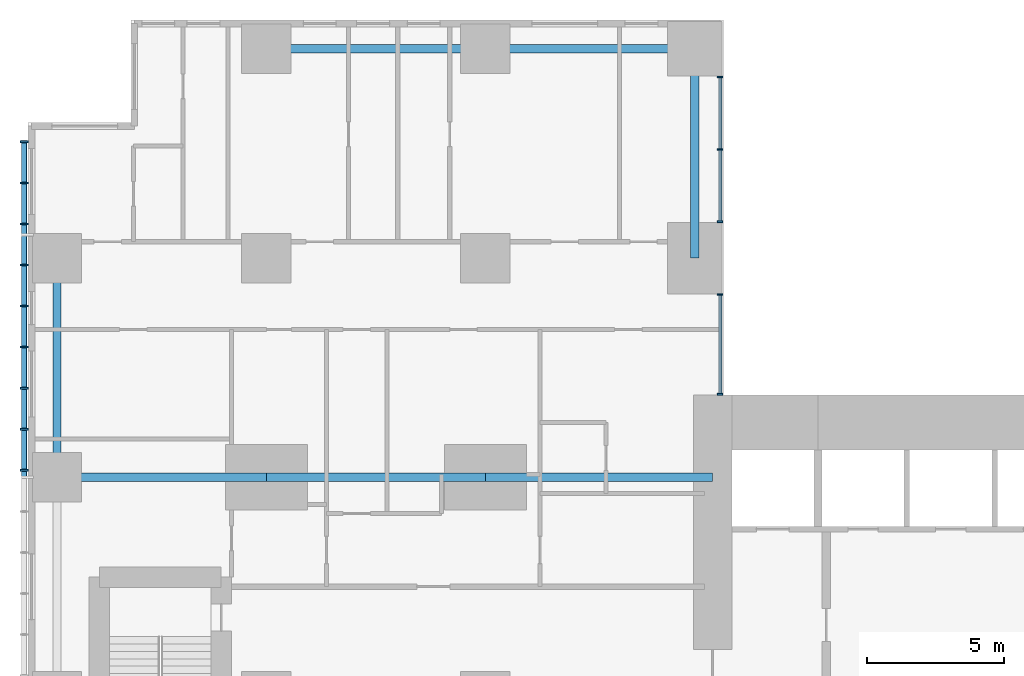
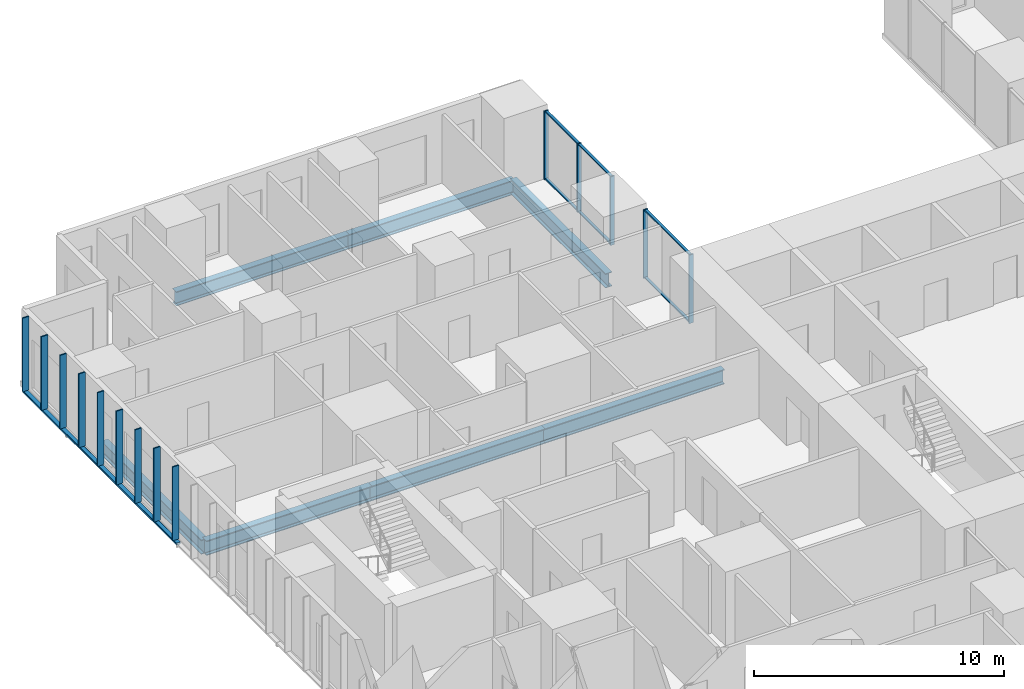
# One storey, part 4 of 20: 21 members, 7 beams, 2 elements without a shape of their own.
"""IFC4 building model written with IfcOpenShell, lengths in metres."""

from ifc_helpers import new_model, si_unit, direction, frame, origin, origin_2d, place, context, subcontext, project, spatial, rectangle, hollow_rectangle, i_section, extrude, material, layer, layer_set, material_profile, profile_set, type_object, element, aggregate, save


model = new_model("IFC4")

# Units and contexts
model_context = context("Model", 3, precision=1e-05, world=origin(), true_north=direction((0.0, 1.0)))
body_context = subcontext(model_context, "Body", "Model", "MODEL_VIEW")
ifc_project = project(units=[si_unit("LENGTHUNIT", "METRE"), si_unit("AREAUNIT", "SQUARE_METRE"), si_unit("VOLUMEUNIT", "CUBIC_METRE"), si_unit("PLANEANGLEUNIT", "RADIAN"), si_unit("MASSUNIT", "GRAM", prefix="KILO")], contexts=[model_context])

# Site, building, storey
site_placement = place(None, origin())
site = spatial("IfcSite", under=ifc_project, at=site_placement, CompositionType="ELEMENT")
building_placement = place(site_placement, origin())
building = spatial("IfcBuilding", under=site, at=building_placement, Name="Cleftline Residences", CompositionType="ELEMENT")
storey_placement = place(building_placement, frame((0.0, 0.0, 214.60009765625)))
storey = spatial("IfcBuildingStorey", under=building, at=storey_placement, Name="L56", CompositionType="ELEMENT", Elevation=214.60009765625)

# Member
ifc_material_1 = material(Name="Steel S355, hot-dip galvanised", Category="steel")
ifc_material_profile_1 = material_profile(ifc_material_1, hollow_rectangle(XDim=0.10009765625, YDim=0.199951171875, WallThickness=0.008056640625, InnerFilletRadius=0.008056640625, OuterFilletRadius=0.011962890625, at=origin_2d()))
ifc_profile_set_1 = profile_set([ifc_material_profile_1], Name="Steel S355, hot-dip galvanised")
member_type_1 = type_object("IfcMemberType", Name="BAGUETTE CARRIER RHS 200X100X8", PredefinedType="USERDEFINED", material=ifc_profile_set_1)
member_1_placement = place(storey_placement, frame((-0.85009765625, 44.300048828125, -0.050048828125), z_axis=(0.0, -1.0, 0.0), x_axis=(0.0, 0.0, 1.0)))
element("IfcMember", 1, at=member_1_placement, inside=storey, type_object=member_type_1, Name="Baguette carrier", ObjectType="BAGUETTE CARRIER", PredefinedType="USERDEFINED", context=body_context, shape_type="SweptSolid", body=[
    extrude(hollow_rectangle(XDim=0.10009765625, YDim=0.199951171875, WallThickness=0.008056640625, InnerFilletRadius=0.008056640625, OuterFilletRadius=0.011962890625, at=origin_2d()), origin(), (0.0, 0.0, 1.0), 12.300048828125),
])

# Beams
ifc_material_2 = material(Name="Steel S355", Category="steel")
ifc_material_profile_2 = material_profile(ifc_material_2, i_section(OverallWidth=0.300048828125, OverallDepth=0.699951171875, WebThickness=0.01708984375, FlangeThickness=0.031982421875, FilletRadius=0.027099609375, at=origin_2d()))
ifc_profile_set_2 = profile_set([ifc_material_profile_2], Name="Steel S355")
beam_type_1 = type_object("IfcBeamType", Name="BEAM HEB 700", PredefinedType="BEAM", material=ifc_profile_set_2)
for number, where, z_axis, x_axis, name in (
    (2, (0.35009765625, 32.0, -0.60009765625), (0.0, 1.0, 0.0), (-1.0, 0.0, 0.0), "Edge beam"),
    (3, (8.0, 47.64990234375, -0.60009765625), (1.0, 0.0, 0.0), (0.0, 1.0, 0.0), "Edge beam"),
):
    element("IfcBeam", number, at=place(storey_placement, frame(where, z_axis=z_axis, x_axis=x_axis)), inside=storey, type_object=beam_type_1, Name=name, PredefinedType="BEAM", context=body_context, shape_type="SweptSolid", body=[
        extrude(i_section(OverallWidth=0.300048828125, OverallDepth=0.699951171875, WebThickness=0.01708984375, FlangeThickness=0.031982421875, FilletRadius=0.027099609375, at=origin_2d()), origin(), (0.0, 0.0, 1.0), 8.0),
    ])
for number, where, z_axis, x_axis, name in (
    (4, (16.0, 47.64990234375, -0.60009765625), (1.0, 0.0, 0.0), (0.0, 1.0, 0.0), "Edge beam"),
    (5, (23.64990234375, 47.64990234375, -0.60009765625), (0.0, -1.0, 0.0), (1.0, 0.0, 0.0), "Edge beam"),
):
    element("IfcBeam", number, at=place(storey_placement, frame(where, z_axis=z_axis, x_axis=x_axis)), inside=storey, type_object=beam_type_1, Name=name, PredefinedType="BEAM", context=body_context, shape_type="SweptSolid", body=[
        extrude(i_section(OverallWidth=0.300048828125, OverallDepth=0.699951171875, WebThickness=0.01708984375, FlangeThickness=0.031982421875, FilletRadius=0.027099609375, at=origin_2d()), origin(), (0.0, 0.0, 1.0), 7.64990234375),
    ])
ifc_material_3 = material(Name="Steel S355", Category="steel")
ifc_material_profile_3 = material_profile(ifc_material_3, i_section(OverallWidth=0.303955078125, OverallDepth=0.716064453125, WebThickness=0.02099609375, FlangeThickness=0.0400390625, FilletRadius=0.027099609375, at=origin_2d()))
ifc_profile_set_3 = profile_set([ifc_material_profile_3], Name="Steel S355")
beam_type_2 = type_object("IfcBeamType", Name="BEAM HEM 700", PredefinedType="BEAM", material=ifc_profile_set_3)
beam_1_placement = place(storey_placement, frame((0.35009765625, 32.0, -0.608154296875), z_axis=(1.0, 0.0, 0.0), x_axis=(0.0, 1.0, 0.0)))
element("IfcBeam", 6, at=beam_1_placement, inside=storey, type_object=beam_type_2, Name="Band beam", PredefinedType="BEAM", context=body_context, shape_type="SweptSolid", body=[
    extrude(i_section(OverallWidth=0.303955078125, OverallDepth=0.716064453125, WebThickness=0.02099609375, FlangeThickness=0.0400390625, FilletRadius=0.027099609375, at=origin_2d()), origin(), (0.0, 0.0, 1.0), 7.64990234375),
])
beam_2_placement = place(storey_placement, frame((8.0, 32.0, -0.608154296875), z_axis=(1.0, 0.0, 0.0), x_axis=(0.0, 1.0, 0.0)))
element("IfcBeam", 7, at=beam_2_placement, inside=storey, type_object=beam_type_2, Name="Band beam", PredefinedType="BEAM", context=body_context, shape_type="SweptSolid", body=[
    extrude(i_section(OverallWidth=0.303955078125, OverallDepth=0.716064453125, WebThickness=0.02099609375, FlangeThickness=0.0400390625, FilletRadius=0.027099609375, at=origin_2d()), origin(), (0.0, 0.0, 1.0), 8.0),
])
beam_3_placement = place(storey_placement, frame((16.0, 32.0, -0.608154296875), z_axis=(1.0, 0.0, 0.0), x_axis=(0.0, 1.0, 0.0)))
element("IfcBeam", 8, at=beam_3_placement, inside=storey, type_object=beam_type_2, Name="Band beam", PredefinedType="BEAM", context=body_context, shape_type="SweptSolid", body=[
    extrude(i_section(OverallWidth=0.303955078125, OverallDepth=0.716064453125, WebThickness=0.02099609375, FlangeThickness=0.0400390625, FilletRadius=0.027099609375, at=origin_2d()), origin(), (0.0, 0.0, 1.0), 8.300048828125),
])

# Curtain wall, members
ifc_material_4 = material(Name="Aluminium framed curtain wall", Category="aluminium")
ifc_layer = layer(ifc_material_4, 0.199951171875)
ifc_layer_set = layer_set([ifc_layer], Name="CW1 CLEFT GLAZING")
curtain_wall_type = type_object("IfcCurtainWallType", Name="CW1 CLEFT GLAZING", PredefinedType="NOTDEFINED", material=ifc_layer_set)
curtain_wall_1_placement = place(storey_placement, origin())
curtain_wall_1 = element("IfcCurtainWall", 9, at=curtain_wall_1_placement, inside=storey, type_object=curtain_wall_type, Name="Curtain wall CW1", PredefinedType="NOTDEFINED")
ifc_material_5 = material(Name="Aluminium mullion", Category="aluminium")
ifc_material_profile_4 = material_profile(ifc_material_5, rectangle(XDim=0.199951171875, YDim=0.06005859375, at=origin_2d()))
ifc_profile_set_4 = profile_set([ifc_material_profile_4], Name="Aluminium mullion")
member_type_2 = type_object("IfcMemberType", Name="CW1 MULLION", PredefinedType="MULLION", material=ifc_profile_set_4)
member_2_placement = place(storey_placement, frame((24.574951171875, 35.030029296875, 0.0), z_axis=(0.0, 0.0, 1.0), x_axis=(-1.0, 0.0, 0.0)))
member_2 = element("IfcMember", 10, at=member_2_placement, type_object=member_type_2, Name="CW1 mullion 1", PredefinedType="MULLION", context=body_context, shape_type="SweptSolid", body=[
    extrude(rectangle(XDim=0.199951171875, YDim=0.06005859375, at=origin_2d()), origin(), (0.0, 0.0, 1.0), 3.349853515625),
])
member_3_placement = place(storey_placement, frame((24.574951171875, 38.669921875, 0.0), z_axis=(0.0, 0.0, 1.0), x_axis=(-1.0, 0.0, 0.0)))
member_3 = element("IfcMember", 11, at=member_3_placement, type_object=member_type_2, Name="CW1 mullion 2", PredefinedType="MULLION", context=body_context, shape_type="SweptSolid", body=[
    extrude(rectangle(XDim=0.199951171875, YDim=0.06005859375, at=origin_2d()), origin(), (0.0, 0.0, 1.0), 3.349853515625),
])

curtain_wall_2_placement = place(storey_placement, origin())
curtain_wall_2 = element("IfcCurtainWall", 12, at=curtain_wall_2_placement, inside=storey, type_object=curtain_wall_type, Name="Curtain wall CW1", PredefinedType="NOTDEFINED")
member_4_placement = place(storey_placement, frame((24.574951171875, 41.330078125, 0.0), z_axis=(0.0, 0.0, 1.0), x_axis=(-1.0, 0.0, 0.0)))
member_4 = element("IfcMember", 13, at=member_4_placement, type_object=member_type_2, Name="CW1 mullion 1", PredefinedType="MULLION", context=body_context, shape_type="SweptSolid", body=[
    extrude(rectangle(XDim=0.199951171875, YDim=0.06005859375, at=origin_2d()), origin(), (0.0, 0.0, 1.0), 3.349853515625),
])
member_5_placement = place(storey_placement, frame((24.574951171875, 43.97509765625, 0.0), z_axis=(0.0, 0.0, 1.0), x_axis=(-1.0, 0.0, 0.0)))
member_5 = element("IfcMember", 14, at=member_5_placement, type_object=member_type_2, Name="CW1 mullion 2", PredefinedType="MULLION", context=body_context, shape_type="SweptSolid", body=[
    extrude(rectangle(XDim=0.199951171875, YDim=0.06005859375, at=origin_2d()), origin(), (0.0, 0.0, 1.0), 3.349853515625),
])
member_6_placement = place(storey_placement, frame((24.574951171875, 46.6201171875, 0.0), z_axis=(0.0, 0.0, 1.0), x_axis=(-1.0, 0.0, 0.0)))
member_6 = element("IfcMember", 15, at=member_6_placement, type_object=member_type_2, Name="CW1 mullion 3", PredefinedType="MULLION", context=body_context, shape_type="SweptSolid", body=[
    extrude(rectangle(XDim=0.199951171875, YDim=0.06005859375, at=origin_2d()), origin(), (0.0, 0.0, 1.0), 3.349853515625),
])

# Member
ifc_material_6 = material(Name="Aluminium transom", Category="aluminium")
ifc_material_profile_5 = material_profile(ifc_material_6, rectangle(XDim=0.1201171875, YDim=0.06005859375, at=origin_2d()))
ifc_profile_set_5 = profile_set([ifc_material_profile_5], Name="Aluminium transom")
member_type_3 = type_object("IfcMemberType", Name="CW1 TRANSOM", PredefinedType="USERDEFINED", material=ifc_profile_set_5)
member_7_placement = place(storey_placement, frame((24.574951171875, 35.06005859375, 0.02978515625), z_axis=(0.0, 1.0, 0.0), x_axis=(-1.0, 0.0, 0.0)))
member_7 = element("IfcMember", 16, at=member_7_placement, type_object=member_type_3, Name="CW1 transom 1.1", ObjectType="TRANSOM", PredefinedType="USERDEFINED", context=body_context, shape_type="SweptSolid", body=[
    extrude(rectangle(XDim=0.1201171875, YDim=0.06005859375, at=origin_2d()), origin(), (0.0, 0.0, 1.0), 3.579833984375),
])

member_8_placement = place(storey_placement, frame((24.574951171875, 35.06005859375, 3.31982421875), z_axis=(0.0, 1.0, 0.0), x_axis=(-1.0, 0.0, 0.0)))
member_8 = element("IfcMember", 17, at=member_8_placement, type_object=member_type_3, Name="CW1 transom 1.2", ObjectType="TRANSOM", PredefinedType="USERDEFINED", context=body_context, shape_type="SweptSolid", body=[
    extrude(rectangle(XDim=0.1201171875, YDim=0.06005859375, at=origin_2d()), origin(), (0.0, 0.0, 1.0), 3.579833984375),
])

aggregate(curtain_wall_1, [member_2, member_3, member_7, member_8])

member_9_placement = place(storey_placement, frame((24.574951171875, 41.360107421875, 0.02978515625), z_axis=(0.0, 1.0, 0.0), x_axis=(-1.0, 0.0, 0.0)))
member_9 = element("IfcMember", 18, at=member_9_placement, type_object=member_type_3, Name="CW1 transom 1.1", ObjectType="TRANSOM", PredefinedType="USERDEFINED", context=body_context, shape_type="SweptSolid", body=[
    extrude(rectangle(XDim=0.1201171875, YDim=0.06005859375, at=origin_2d()), origin(), (0.0, 0.0, 1.0), 2.5849609375),
])

member_10_placement = place(storey_placement, frame((24.574951171875, 41.360107421875, 3.31982421875), z_axis=(0.0, 1.0, 0.0), x_axis=(-1.0, 0.0, 0.0)))
member_10 = element("IfcMember", 19, at=member_10_placement, type_object=member_type_3, Name="CW1 transom 1.2", ObjectType="TRANSOM", PredefinedType="USERDEFINED", context=body_context, shape_type="SweptSolid", body=[
    extrude(rectangle(XDim=0.1201171875, YDim=0.06005859375, at=origin_2d()), origin(), (0.0, 0.0, 1.0), 2.5849609375),
])

member_11_placement = place(storey_placement, frame((24.574951171875, 44.0048828125, 0.02978515625), z_axis=(0.0, 1.0, 0.0), x_axis=(-1.0, 0.0, 0.0)))
member_11 = element("IfcMember", 20, at=member_11_placement, type_object=member_type_3, Name="CW1 transom 2.1", ObjectType="TRANSOM", PredefinedType="USERDEFINED", context=body_context, shape_type="SweptSolid", body=[
    extrude(rectangle(XDim=0.1201171875, YDim=0.06005859375, at=origin_2d()), origin(), (0.0, 0.0, 1.0), 2.585205078125),
])

member_12_placement = place(storey_placement, frame((24.574951171875, 44.0048828125, 3.31982421875), z_axis=(0.0, 1.0, 0.0), x_axis=(-1.0, 0.0, 0.0)))
member_12 = element("IfcMember", 21, at=member_12_placement, type_object=member_type_3, Name="CW1 transom 2.2", ObjectType="TRANSOM", PredefinedType="USERDEFINED", context=body_context, shape_type="SweptSolid", body=[
    extrude(rectangle(XDim=0.1201171875, YDim=0.06005859375, at=origin_2d()), origin(), (0.0, 0.0, 1.0), 2.585205078125),
])

aggregate(curtain_wall_2, [member_4, member_5, member_6, member_9, member_10, member_11, member_12])

# Members
ifc_material_7 = material(Name="Extruded terracotta", Category="masonry")
ifc_material_profile_6 = material_profile(ifc_material_7, rectangle(XDim=0.06005859375, YDim=0.300048828125, at=origin_2d()))
ifc_profile_set_6 = profile_set([ifc_material_profile_6], Name="Extruded terracotta")
member_type_4 = type_object("IfcMemberType", Name="TERRACOTTA BAGUETTE 60X300", PredefinedType="USERDEFINED", material=ifc_profile_set_6)
for number, where, z_axis, x_axis, name in (
    (22, (-0.85009765625, 44.25, 0.0), (0.0, 0.0, 1.0), (0.0, 1.0, 0.0), "Terracotta baguette"),
    (23, (-0.85009765625, 42.75, 0.0), (0.0, 0.0, 1.0), (0.0, 1.0, 0.0), "Terracotta baguette"),
    (24, (-0.85009765625, 41.25, 0.0), (0.0, 0.0, 1.0), (0.0, 1.0, 0.0), "Terracotta baguette"),
    (25, (-0.85009765625, 39.75, 0.0), (0.0, 0.0, 1.0), (0.0, 1.0, 0.0), "Terracotta baguette"),
    (26, (-0.85009765625, 38.25, 0.0), (0.0, 0.0, 1.0), (0.0, 1.0, 0.0), "Terracotta baguette"),
    (27, (-0.85009765625, 36.75, 0.0), (0.0, 0.0, 1.0), (0.0, 1.0, 0.0), "Terracotta baguette"),
    (28, (-0.85009765625, 35.25, 0.0), (0.0, 0.0, 1.0), (0.0, 1.0, 0.0), "Terracotta baguette"),
    (29, (-0.85009765625, 33.75, 0.0), (0.0, 0.0, 1.0), (0.0, 1.0, 0.0), "Terracotta baguette"),
    (30, (-0.85009765625, 32.25, 0.0), (0.0, 0.0, 1.0), (0.0, 1.0, 0.0), "Terracotta baguette"),
):
    element("IfcMember", number, at=place(storey_placement, frame(where, z_axis=z_axis, x_axis=x_axis)), inside=storey, type_object=member_type_4, Name=name, ObjectType="BAGUETTE", PredefinedType="USERDEFINED", context=body_context, shape_type="SweptSolid", body=[
        extrude(rectangle(XDim=0.06005859375, YDim=0.300048828125, at=origin_2d()), origin(), (0.0, 0.0, 1.0), 3.599853515625),
    ])

save(model, "model.ifc")
